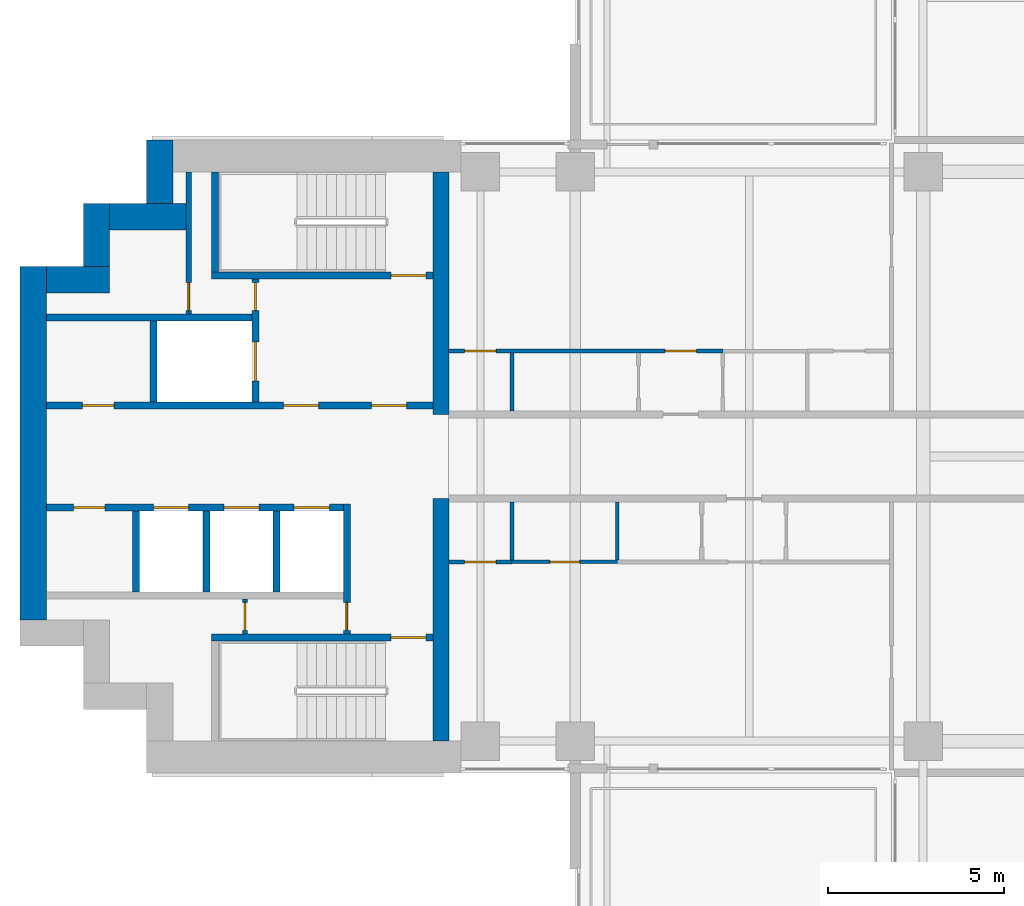
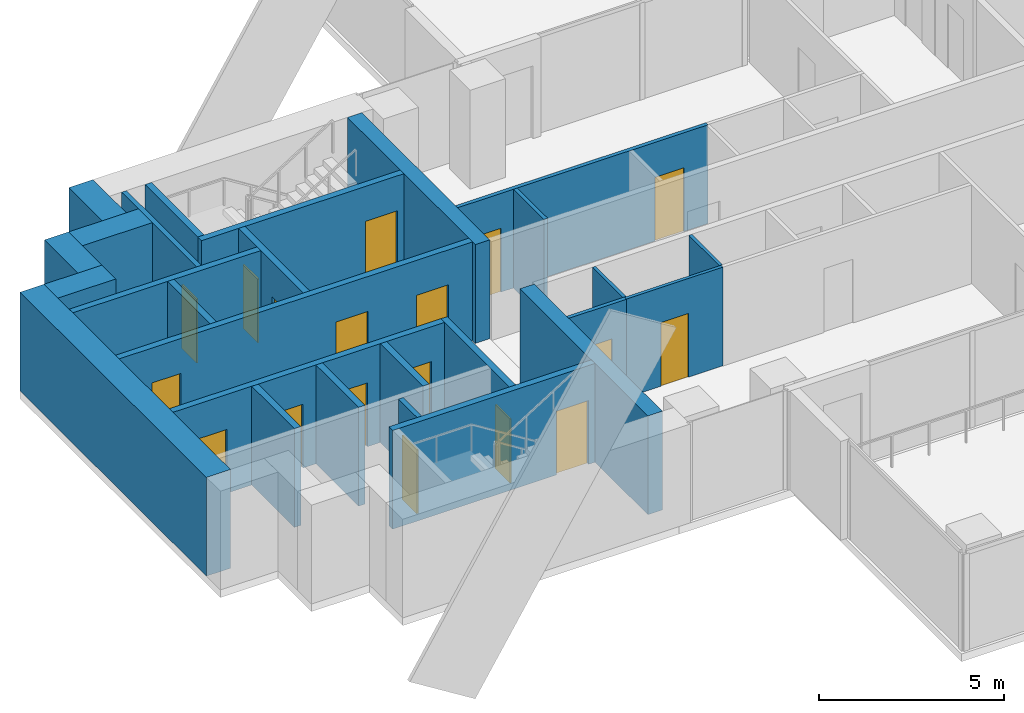
# One storey, part 9 of 19: 27 walls, 18 doors, 18 openings.
"""IFC4 building model written with IfcOpenShell, lengths in metres."""

from ifc_helpers import new_model, si_unit, direction, frame, frame_2d, origin, place, context, subcontext, project, spatial, rectangle, extrude, material, layer, layer_set, type_object, element, fill, save


model = new_model("IFC4")

# Units and contexts
model_context = context("Model", 3, precision=1e-05, world=origin(), true_north=direction((0.0, 1.0)))
body_context = subcontext(model_context, "Body", "Model", "MODEL_VIEW")
ifc_project = project(units=[si_unit("LENGTHUNIT", "METRE"), si_unit("AREAUNIT", "SQUARE_METRE"), si_unit("VOLUMEUNIT", "CUBIC_METRE"), si_unit("PLANEANGLEUNIT", "RADIAN"), si_unit("MASSUNIT", "GRAM", prefix="KILO")], contexts=[model_context])

# Site, building, storey
site_placement = place(None, origin())
site = spatial("IfcSite", under=ifc_project, at=site_placement, CompositionType="ELEMENT")
building_placement = place(site_placement, origin())
building = spatial("IfcBuilding", under=site, at=building_placement, Name="Perihelion Cross Residences", CompositionType="ELEMENT")
storey_placement = place(building_placement, frame((0.0, 0.0, 105.89990234375)))
storey = spatial("IfcBuildingStorey", under=building, at=storey_placement, Name="L24", CompositionType="ELEMENT", Elevation=105.89990234375)

# Walls
ifc_material_1 = material(Name="Concrete C60/75", Category="concrete")
ifc_layer_1 = layer(ifc_material_1, 0.449951171875)
ifc_layer_set_1 = layer_set([ifc_layer_1], Name="Core wall, inner 450")
wall_type_1 = type_object("IfcWallType", Name="Core wall, inner 450", PredefinedType="SHEAR", material=ifc_layer_set_1)
for number, where, z_axis, x_axis, name in (
    (1, (-21.824951171875, -8.10009765625, 0.0), (0.0, 0.0, 1.0), (0.0, 1.0, 0.0), "West core core wall, inner"),
    (2, (-21.824951171875, 1.199951171875, 0.0), (0.0, 0.0, 1.0), (0.0, 1.0, 0.0), "West core core wall, inner"),
):
    element("IfcWall", number, at=place(storey_placement, frame(where, z_axis=z_axis, x_axis=x_axis)), inside=storey, type_object=wall_type_1, Name=name, PredefinedType="SHEAR", context=body_context, shape_type="SweptSolid", body=[
        extrude(rectangle(XDim=6.900146484375, YDim=0.449951171875, at=frame_2d((3.4501953125, 0.0))), origin(), (0.0, 0.0, 1.0), 3.25),
    ])
ifc_material_2 = material(Name="Concrete C60/75", Category="concrete")
ifc_layer_2 = layer(ifc_material_2, 0.75)
ifc_layer_set_2 = layer_set([ifc_layer_2], Name="Core wall, outer 750")
wall_type_2 = type_object("IfcWallType", Name="Core wall, outer 750", PredefinedType="SHEAR", material=ifc_layer_set_2)
wall_1_placement = place(storey_placement, frame((-33.425048828125, -4.64990234375, 0.0), z_axis=(0.0, 0.0, 1.0), x_axis=(0.0, 1.0, 0.0)))
element("IfcWall", 3, at=wall_1_placement, inside=storey, type_object=wall_type_2, Name="West core core wall, outer", PredefinedType="SHEAR", context=body_context, shape_type="SweptSolid", body=[
    extrude(rectangle(XDim=10.0498046875, YDim=0.75, at=frame_2d((5.02490234375, 0.0))), origin(), (0.0, 0.0, 1.0), 3.25),
])
for number, where, z_axis, x_axis, name in (
    (4, (-33.050048828125, 5.02490234375, 0.0), (0.0, 0.0, 1.0), (1.0, 0.0, 0.0), "West core core wall, outer"),
    (5, (-31.625, 5.39990234375, 0.0), (0.0, 0.0, 1.0), (0.0, 1.0, 0.0), "West core core wall, outer"),
):
    element("IfcWall", number, at=place(storey_placement, frame(where, z_axis=z_axis, x_axis=x_axis)), inside=storey, type_object=wall_type_2, Name=name, PredefinedType="SHEAR", context=body_context, shape_type="SweptSolid", body=[
        extrude(rectangle(XDim=1.800048828125, YDim=0.75, at=frame_2d((0.89990234375, 0.0))), origin(), (0.0, 0.0, 1.0), 3.25),
    ])
wall_2_placement = place(storey_placement, frame((-31.25, 6.824951171875, 0.0), z_axis=(0.0, 0.0, 1.0), x_axis=(1.0, 0.0, 0.0)))
element("IfcWall", 6, at=wall_2_placement, inside=storey, type_object=wall_type_2, Name="West core core wall, outer", PredefinedType="SHEAR", context=body_context, shape_type="SweptSolid", body=[
    extrude(rectangle(XDim=2.175048828125, YDim=0.75, at=frame_2d((1.08740234375, 0.0))), origin(), (0.0, 0.0, 1.0), 3.25),
])
wall_3_placement = place(storey_placement, frame((-29.824951171875, 7.199951171875, 0.0), z_axis=(0.0, 0.0, 1.0), x_axis=(0.0, 1.0, 0.0)))
element("IfcWall", 7, at=wall_3_placement, inside=storey, type_object=wall_type_2, Name="West core core wall, outer", PredefinedType="SHEAR", context=body_context, shape_type="SweptSolid", body=[
    extrude(rectangle(XDim=1.800048828125, YDim=0.75, at=frame_2d((0.89990234375, 0.0))), origin(), (0.0, 0.0, 1.0), 3.25),
])

# Wall, opening, door
ifc_material_3 = material(Name="Concrete C50/60", Category="concrete")
ifc_layer_3 = layer(ifc_material_3, 0.199951171875)
ifc_layer_set_3 = layer_set([ifc_layer_3], Name="Lobby wall 200")
wall_type_3 = type_object("IfcWallType", Name="Lobby wall 200", PredefinedType="SOLIDWALL", material=ifc_layer_set_3)
wall_4_placement = place(storey_placement, frame((-24.5, -5.050048828125, 0.0), z_axis=(0.0, 0.0, 1.0), x_axis=(0.0, 1.0, 0.0)))
wall_4 = element("IfcWall", 8, at=wall_4_placement, inside=storey, type_object=wall_type_3, Name="West core lobby wall", PredefinedType="SOLIDWALL", context=body_context, shape_type="SweptSolid", body=[
    extrude(rectangle(XDim=3.699951171875, YDim=0.199951171875, at=frame_2d((1.85009765625, 0.0))), origin(), (0.0, 0.0, 1.0), 3.25),
])
opening_1_placement = place(wall_4_placement, frame((0.10009765625, 0.0, 0.0)))
opening_1 = element("IfcOpeningElement", 9, at=opening_1_placement, cuts=wall_4, Name="Opening L24.C22", PredefinedType="OPENING", context=body_context, shape_type="SweptSolid", body=[
    extrude(rectangle(XDim=0.800048828125, YDim=2.10009765625, at=frame_2d((0.39990234375, 1.050048828125))), frame((0.0, 0.10986328125, 0.0), z_axis=(0.0, -1.0, 0.0), x_axis=(1.0, 0.0, 0.0)), (0.0, 0.0, 1.0), 0.219970703125),
])
ifc_material_4 = material(Name="Steel, powder coated", Category="steel")
door_type_1 = type_object("IfcDoorType", Name="Riser door 800", OperationType="SINGLE_SWING_LEFT", PredefinedType="DOOR", material=ifc_material_4)
door_1_placement = place(opening_1_placement, origin())
door_1 = element("IfcDoor", 10, at=door_1_placement, inside=storey, type_object=door_type_1, Name="West core riser door", OperationType="SINGLE_SWING_LEFT", OverallHeight=2.10009765625, OverallWidth=0.800048828125, PredefinedType="DOOR", context=body_context, shape_type="SweptSolid", body=[
    extrude(rectangle(XDim=0.800048828125, YDim=2.10009765625, at=frame_2d((0.39990234375, 1.050048828125))), frame((0.0, 0.02490234375, 0.0), z_axis=(0.0, -1.0, 0.0), x_axis=(1.0, 0.0, 0.0)), (0.0, 0.0, 1.0), 0.050048828125),
])
fill(opening_1, door_1)

# Wall, openings, doors
ifc_material_5 = material(Name="Plasterboard partition")
ifc_layer_4 = layer(ifc_material_5, 0.1201171875)
ifc_layer_set_4 = layer_set([ifc_layer_4], Name="Partition wall 120")
wall_type_4 = type_object("IfcWallType", Name="Partition wall 120", PredefinedType="PARTITIONING", material=ifc_layer_set_4)
wall_5_placement = place(storey_placement, frame((-21.60009765625, 3.0, 0.0), z_axis=(0.0, 0.0, 1.0), x_axis=(1.0, 0.0, 0.0)))
wall_5 = element("IfcWall", 11, at=wall_5_placement, inside=storey, type_object=wall_type_4, Name="Partition L24 W048", PredefinedType="PARTITIONING", context=body_context, shape_type="SweptSolid", body=[
    extrude(rectangle(XDim=7.800048828125, YDim=0.1201171875, at=frame_2d((3.89990234375, 0.0))), origin(), (0.0, 0.0, 1.0), 3.25),
])
opening_2_placement = place(wall_5_placement, frame((0.449951171875, 0.0, 0.0)))
opening_2 = element("IfcOpeningElement", 12, at=opening_2_placement, cuts=wall_5, Name="Opening L24.A21", PredefinedType="OPENING", context=body_context, shape_type="SweptSolid", body=[
    extrude(rectangle(XDim=0.89990234375, YDim=2.10009765625, at=frame_2d((0.449951171875, 1.050048828125))), frame((0.0, 0.070068359375, 0.0), z_axis=(0.0, -1.0, 0.0), x_axis=(1.0, 0.0, 0.0)), (0.0, 0.0, 1.0), 0.14013671875),
])
opening_3_placement = place(wall_5_placement, frame((6.14990234375, 0.0, 0.0)))
opening_3 = element("IfcOpeningElement", 13, at=opening_3_placement, cuts=wall_5, Name="Opening L24.A23", PredefinedType="OPENING", context=body_context, shape_type="SweptSolid", body=[
    extrude(rectangle(XDim=0.89990234375, YDim=2.10009765625, at=frame_2d((0.449951171875, 1.050048828125))), frame((0.0, 0.070068359375, 0.0), z_axis=(0.0, -1.0, 0.0), x_axis=(1.0, 0.0, 0.0)), (0.0, 0.0, 1.0), 0.14013671875),
])
ifc_material_6 = material(Name="Timber door leaf", Category="wood")
door_type_2 = type_object("IfcDoorType", Name="Interior room door 900 x 2100", OperationType="SINGLE_SWING_LEFT", PredefinedType="DOOR", material=ifc_material_6)
door_2_placement = place(opening_2_placement, origin())
door_2 = element("IfcDoor", 14, at=door_2_placement, inside=storey, type_object=door_type_2, Name="Door L24.A21", OperationType="SINGLE_SWING_RIGHT", OverallHeight=2.10009765625, OverallWidth=0.89990234375, PredefinedType="DOOR", context=body_context, shape_type="SweptSolid", body=[
    extrude(rectangle(XDim=0.89990234375, YDim=2.10009765625, at=frame_2d((0.449951171875, 1.050048828125))), frame((0.0, 0.02490234375, 0.0), z_axis=(0.0, -1.0, 0.0), x_axis=(1.0, 0.0, 0.0)), (0.0, 0.0, 1.0), 0.050048828125),
])
fill(opening_2, door_2)
door_3_placement = place(opening_3_placement, origin())
door_3 = element("IfcDoor", 15, at=door_3_placement, inside=storey, type_object=door_type_2, Name="Door L24.A23", OperationType="SINGLE_SWING_RIGHT", OverallHeight=2.10009765625, OverallWidth=0.89990234375, PredefinedType="DOOR", context=body_context, shape_type="SweptSolid", body=[
    extrude(rectangle(XDim=0.89990234375, YDim=2.10009765625, at=frame_2d((0.449951171875, 1.050048828125))), frame((0.0, 0.02490234375, 0.0), z_axis=(0.0, -1.0, 0.0), x_axis=(1.0, 0.0, 0.0)), (0.0, 0.0, 1.0), 0.050048828125),
])
fill(opening_3, door_3)

# Wall
wall_6_placement = place(storey_placement, frame((-19.800048828125, 1.300048828125, 0.0), z_axis=(0.0, 0.0, 1.0), x_axis=(0.0, 1.0, 0.0)))
element("IfcWall", 16, at=wall_6_placement, inside=storey, type_object=wall_type_4, Name="Partition L24 W049", PredefinedType="PARTITIONING", context=body_context, shape_type="SweptSolid", body=[
    extrude(rectangle(XDim=1.639892578125, YDim=0.1201171875, at=frame_2d((0.81982421875, 0.0))), origin(), (0.0, 0.0, 1.0), 3.25),
])

# Wall, opening, door
wall_7_placement = place(storey_placement, frame((-19.800048828125, -3.0, 0.0), z_axis=(0.0, 0.0, 1.0), x_axis=(-1.0, 0.0, 0.0)))
wall_7 = element("IfcWall", 17, at=wall_7_placement, inside=storey, type_object=wall_type_4, Name="Partition L24 W060", PredefinedType="PARTITIONING", context=body_context, shape_type="SweptSolid", body=[
    extrude(rectangle(XDim=1.800048828125, YDim=0.1201171875, at=frame_2d((0.89990234375, 0.0))), origin(), (0.0, 0.0, 1.0), 3.25),
])
opening_4_placement = place(wall_7_placement, frame((0.449951171875, 0.0, 0.0)))
opening_4 = element("IfcOpeningElement", 18, at=opening_4_placement, cuts=wall_7, Name="Opening L24.A28", PredefinedType="OPENING", context=body_context, shape_type="SweptSolid", body=[
    extrude(rectangle(XDim=0.89990234375, YDim=2.10009765625, at=frame_2d((0.449951171875, 1.050048828125))), frame((0.0, 0.070068359375, 0.0), z_axis=(0.0, -1.0, 0.0), x_axis=(1.0, 0.0, 0.0)), (0.0, 0.0, 1.0), 0.14013671875),
])
door_4_placement = place(opening_4_placement, origin())
door_4 = element("IfcDoor", 19, at=door_4_placement, inside=storey, type_object=door_type_2, Name="Door L24.A28", OperationType="SINGLE_SWING_LEFT", OverallHeight=2.10009765625, OverallWidth=0.89990234375, PredefinedType="DOOR", context=body_context, shape_type="SweptSolid", body=[
    extrude(rectangle(XDim=0.89990234375, YDim=2.10009765625, at=frame_2d((0.449951171875, 1.050048828125))), frame((0.0, 0.02490234375, 0.0), z_axis=(0.0, -1.0, 0.0), x_axis=(1.0, 0.0, 0.0)), (0.0, 0.0, 1.0), 0.050048828125),
])
fill(opening_4, door_4)

ifc_material_7 = material(Name="Fire-rated board on steel stud", Category="steel")
ifc_layer_5 = layer(ifc_material_7, 0.14990234375)
ifc_layer_set_5 = layer_set([ifc_layer_5], Name="Riser wall 150")
wall_type_5 = type_object("IfcWallType", Name="Riser wall 150", PredefinedType="PARTITIONING", material=ifc_layer_set_5)
wall_8_placement = place(storey_placement, frame((-29.0, 4.050048828125, 0.0), z_axis=(0.0, 0.0, 1.0), x_axis=(0.0, 1.0, 0.0)))
wall_8 = element("IfcWall", 20, at=wall_8_placement, inside=storey, type_object=wall_type_5, Name="West core riser wall", PredefinedType="PARTITIONING", context=body_context, shape_type="SweptSolid", body=[
    extrude(rectangle(XDim=4.050048828125, YDim=0.14990234375, at=frame_2d((2.02490234375, 0.0))), origin(), (0.0, 0.0, 1.0), 3.25),
])
opening_5_placement = place(wall_8_placement, frame((0.10009765625, 0.0, 0.0)))
opening_5 = element("IfcOpeningElement", 21, at=opening_5_placement, cuts=wall_8, Name="Opening L24.C26", PredefinedType="OPENING", context=body_context, shape_type="SweptSolid", body=[
    extrude(rectangle(XDim=0.800048828125, YDim=2.10009765625, at=frame_2d((0.39990234375, 1.050048828125))), frame((0.0, 0.0849609375, 0.0), z_axis=(0.0, -1.0, 0.0), x_axis=(1.0, 0.0, 0.0)), (0.0, 0.0, 1.0), 0.169921875),
])
door_5_placement = place(opening_5_placement, origin())
door_5 = element("IfcDoor", 22, at=door_5_placement, inside=storey, type_object=door_type_1, Name="West core riser door", OperationType="SINGLE_SWING_LEFT", OverallHeight=2.10009765625, OverallWidth=0.800048828125, PredefinedType="DOOR", context=body_context, shape_type="SweptSolid", body=[
    extrude(rectangle(XDim=0.800048828125, YDim=2.10009765625, at=frame_2d((0.39990234375, 1.050048828125))), frame((0.0, 0.02490234375, 0.0), z_axis=(0.0, -1.0, 0.0), x_axis=(1.0, 0.0, 0.0)), (0.0, 0.0, 1.0), 0.050048828125),
])
fill(opening_5, door_5)

wall_9_placement = place(storey_placement, frame((-27.39990234375, -5.050048828125, 0.0), z_axis=(0.0, 0.0, 1.0), x_axis=(0.0, 1.0, 0.0)))
wall_9 = element("IfcWall", 23, at=wall_9_placement, inside=storey, type_object=wall_type_5, Name="West core riser wall", PredefinedType="PARTITIONING", context=body_context, shape_type="SweptSolid", body=[
    extrude(rectangle(XDim=1.0, YDim=0.14990234375, at=frame_2d((0.5, 0.0))), origin(), (0.0, 0.0, 1.0), 3.25),
])
opening_6_placement = place(wall_9_placement, frame((0.10009765625, 0.0, 0.0)))
opening_6 = element("IfcOpeningElement", 24, at=opening_6_placement, cuts=wall_9, Name="Opening L24.C25", PredefinedType="OPENING", context=body_context, shape_type="SweptSolid", body=[
    extrude(rectangle(XDim=0.800048828125, YDim=2.10009765625, at=frame_2d((0.39990234375, 1.050048828125))), frame((0.0, 0.0849609375, 0.0), z_axis=(0.0, -1.0, 0.0), x_axis=(1.0, 0.0, 0.0)), (0.0, 0.0, 1.0), 0.169921875),
])
door_6_placement = place(opening_6_placement, origin())
door_6 = element("IfcDoor", 25, at=door_6_placement, inside=storey, type_object=door_type_1, Name="West core riser door", OperationType="SINGLE_SWING_LEFT", OverallHeight=2.10009765625, OverallWidth=0.800048828125, PredefinedType="DOOR", context=body_context, shape_type="SweptSolid", body=[
    extrude(rectangle(XDim=0.800048828125, YDim=2.10009765625, at=frame_2d((0.39990234375, 1.050048828125))), frame((0.0, 0.02490234375, 0.0), z_axis=(0.0, -1.0, 0.0), x_axis=(1.0, 0.0, 0.0)), (0.0, 0.0, 1.0), 0.050048828125),
])
fill(opening_6, door_6)

# Wall, openings, doors
ifc_material_8 = material(Name="Concrete C50/60", Category="concrete")
ifc_layer_6 = layer(ifc_material_8, 0.199951171875)
ifc_layer_set_6 = layer_set([ifc_layer_6], Name="Shaft wall 200")
wall_type_6 = type_object("IfcWallType", Name="Shaft wall 200", PredefinedType="SOLIDWALL", material=ifc_layer_set_6)
wall_10_placement = place(storey_placement, frame((-33.050048828125, 1.449951171875, 0.0), z_axis=(0.0, 0.0, 1.0), x_axis=(1.0, 0.0, 0.0)))
wall_10 = element("IfcWall", 26, at=wall_10_placement, inside=storey, type_object=wall_type_6, Name="West core shaft wall", PredefinedType="SOLIDWALL", context=body_context, shape_type="SweptSolid", body=[
    extrude(rectangle(XDim=11.0, YDim=0.199951171875, at=frame_2d((5.5, 0.0))), origin(), (0.0, 0.0, 1.0), 3.25),
])
opening_7_placement = place(wall_10_placement, frame((9.25, 0.0, 0.0)))
opening_7 = element("IfcOpeningElement", 27, at=opening_7_placement, cuts=wall_10, Name="Opening L24.C21", PredefinedType="OPENING", context=body_context, shape_type="SweptSolid", body=[
    extrude(rectangle(XDim=1.0, YDim=2.10009765625, at=frame_2d((0.5, 1.050048828125))), frame((0.0, 0.10986328125, 0.0), z_axis=(0.0, -1.0, 0.0), x_axis=(1.0, 0.0, 0.0)), (0.0, 0.0, 1.0), 0.219970703125),
])
opening_8_placement = place(wall_10_placement, frame((6.75, 0.0, 0.0)))
opening_8 = element("IfcOpeningElement", 28, at=opening_8_placement, cuts=wall_10, Name="Opening L24.C23", PredefinedType="OPENING", context=body_context, shape_type="SweptSolid", body=[
    extrude(rectangle(XDim=1.0, YDim=2.10009765625, at=frame_2d((0.5, 1.050048828125))), frame((0.0, 0.10986328125, 0.0), z_axis=(0.0, -1.0, 0.0), x_axis=(1.0, 0.0, 0.0)), (0.0, 0.0, 1.0), 0.219970703125),
])
opening_9_placement = place(wall_10_placement, frame((1.02490234375, 0.0, 0.0)))
opening_9 = element("IfcOpeningElement", 29, at=opening_9_placement, cuts=wall_10, Name="Opening L24.C27", PredefinedType="OPENING", context=body_context, shape_type="SweptSolid", body=[
    extrude(rectangle(XDim=0.89990234375, YDim=2.10009765625, at=frame_2d((0.449951171875, 1.050048828125))), frame((0.0, 0.10986328125, 0.0), z_axis=(0.0, -1.0, 0.0), x_axis=(1.0, 0.0, 0.0)), (0.0, 0.0, 1.0), 0.219970703125),
])
ifc_material_9 = material(Name="Steel, powder coated", Category="steel")
door_type_3 = type_object("IfcDoorType", Name="Lobby door 1000", OperationType="SINGLE_SWING_LEFT", PredefinedType="DOOR", material=ifc_material_9)
door_7_placement = place(opening_7_placement, origin())
door_7 = element("IfcDoor", 30, at=door_7_placement, inside=storey, type_object=door_type_3, Name="West core firefighting lobby door", OperationType="SINGLE_SWING_LEFT", OverallHeight=2.10009765625, OverallWidth=1.0, PredefinedType="DOOR", context=body_context, shape_type="SweptSolid", body=[
    extrude(rectangle(XDim=1.0, YDim=2.10009765625, at=frame_2d((0.5, 1.050048828125))), frame((0.0, 0.02490234375, 0.0), z_axis=(0.0, -1.0, 0.0), x_axis=(1.0, 0.0, 0.0)), (0.0, 0.0, 1.0), 0.050048828125),
])
fill(opening_7, door_7)
door_8_placement = place(opening_8_placement, origin())
door_8 = element("IfcDoor", 31, at=door_8_placement, inside=storey, type_object=door_type_3, Name="West core firefighting lobby door", OperationType="SINGLE_SWING_LEFT", OverallHeight=2.10009765625, OverallWidth=1.0, PredefinedType="DOOR", context=body_context, shape_type="SweptSolid", body=[
    extrude(rectangle(XDim=1.0, YDim=2.10009765625, at=frame_2d((0.5, 1.050048828125))), frame((0.0, 0.02490234375, 0.0), z_axis=(0.0, -1.0, 0.0), x_axis=(1.0, 0.0, 0.0)), (0.0, 0.0, 1.0), 0.050048828125),
])
fill(opening_8, door_8)
ifc_material_10 = material(Name="Steel, powder coated", Category="steel")
door_type_4 = type_object("IfcDoorType", Name="Service room door 900", OperationType="SINGLE_SWING_LEFT", PredefinedType="DOOR", material=ifc_material_10)
door_9_placement = place(opening_9_placement, origin())
door_9 = element("IfcDoor", 32, at=door_9_placement, inside=storey, type_object=door_type_4, Name="West core service room door", OperationType="SINGLE_SWING_LEFT", OverallHeight=2.10009765625, OverallWidth=0.89990234375, PredefinedType="DOOR", context=body_context, shape_type="SweptSolid", body=[
    extrude(rectangle(XDim=0.89990234375, YDim=2.10009765625, at=frame_2d((0.449951171875, 1.050048828125))), frame((0.0, 0.02490234375, 0.0), z_axis=(0.0, -1.0, 0.0), x_axis=(1.0, 0.0, 0.0)), (0.0, 0.0, 1.0), 0.050048828125),
])
fill(opening_9, door_9)

wall_11_placement = place(storey_placement, frame((-33.050048828125, -1.449951171875, 0.0), z_axis=(0.0, 0.0, 1.0), x_axis=(1.0, 0.0, 0.0)))
wall_11 = element("IfcWall", 33, at=wall_11_placement, inside=storey, type_object=wall_type_6, Name="West core shaft wall", PredefinedType="SOLIDWALL", context=body_context, shape_type="SweptSolid", body=[
    extrude(rectangle(XDim=8.449951171875, YDim=0.199951171875, at=frame_2d((4.22509765625, 0.0))), origin(), (0.0, 0.0, 1.0), 3.25),
])
opening_10_placement = place(wall_11_placement, frame((7.050048828125, 0.0, 0.0)))
opening_10 = element("IfcOpeningElement", 34, at=opening_10_placement, cuts=wall_11, Name="Opening L24.C15", PredefinedType="OPENING", context=body_context, shape_type="SweptSolid", body=[
    extrude(rectangle(XDim=1.0, YDim=2.10009765625, at=frame_2d((0.5, 1.050048828125))), frame((0.0, 0.10986328125, 0.0), z_axis=(0.0, -1.0, 0.0), x_axis=(1.0, 0.0, 0.0)), (0.0, 0.0, 1.0), 0.219970703125),
])
opening_11_placement = place(wall_11_placement, frame((5.050048828125, 0.0, 0.0)))
opening_11 = element("IfcOpeningElement", 35, at=opening_11_placement, cuts=wall_11, Name="Opening L24.C17", PredefinedType="OPENING", context=body_context, shape_type="SweptSolid", body=[
    extrude(rectangle(XDim=1.0, YDim=2.10009765625, at=frame_2d((0.5, 1.050048828125))), frame((0.0, 0.10986328125, 0.0), z_axis=(0.0, -1.0, 0.0), x_axis=(1.0, 0.0, 0.0)), (0.0, 0.0, 1.0), 0.219970703125),
])
opening_12_placement = place(wall_11_placement, frame((3.050048828125, 0.0, 0.0)))
opening_12 = element("IfcOpeningElement", 36, at=opening_12_placement, cuts=wall_11, Name="Opening L24.C18", PredefinedType="OPENING", context=body_context, shape_type="SweptSolid", body=[
    extrude(rectangle(XDim=1.0, YDim=2.10009765625, at=frame_2d((0.5, 1.050048828125))), frame((0.0, 0.10986328125, 0.0), z_axis=(0.0, -1.0, 0.0), x_axis=(1.0, 0.0, 0.0)), (0.0, 0.0, 1.0), 0.219970703125),
])
opening_13_placement = place(wall_11_placement, frame((0.77490234375, 0.0, 0.0)))
opening_13 = element("IfcOpeningElement", 37, at=opening_13_placement, cuts=wall_11, Name="Opening L24.C28", PredefinedType="OPENING", context=body_context, shape_type="SweptSolid", body=[
    extrude(rectangle(XDim=0.89990234375, YDim=2.10009765625, at=frame_2d((0.449951171875, 1.050048828125))), frame((0.0, 0.10986328125, 0.0), z_axis=(0.0, -1.0, 0.0), x_axis=(1.0, 0.0, 0.0)), (0.0, 0.0, 1.0), 0.219970703125),
])
ifc_material_11 = material(Name="Stainless steel", Category="steel")
door_type_5 = type_object("IfcDoorType", Name="Landing door 1000", OperationType="DOUBLE_DOOR_SLIDING", PredefinedType="DOOR", material=ifc_material_11)
door_10_placement = place(opening_10_placement, origin())
door_10 = element("IfcDoor", 38, at=door_10_placement, inside=storey, type_object=door_type_5, Name="Landing door, West core high-rise lift 1", OperationType="DOUBLE_DOOR_SLIDING", OverallHeight=2.10009765625, OverallWidth=1.0, PredefinedType="DOOR", context=body_context, shape_type="SweptSolid", body=[
    extrude(rectangle(XDim=1.0, YDim=2.10009765625, at=frame_2d((0.5, 1.050048828125))), frame((0.0, 0.02490234375, 0.0), z_axis=(0.0, -1.0, 0.0), x_axis=(1.0, 0.0, 0.0)), (0.0, 0.0, 1.0), 0.050048828125),
])
fill(opening_10, door_10)
door_11_placement = place(opening_11_placement, origin())
door_11 = element("IfcDoor", 39, at=door_11_placement, inside=storey, type_object=door_type_5, Name="Landing door, West core high-rise lift 2", OperationType="DOUBLE_DOOR_SLIDING", OverallHeight=2.10009765625, OverallWidth=1.0, PredefinedType="DOOR", context=body_context, shape_type="SweptSolid", body=[
    extrude(rectangle(XDim=1.0, YDim=2.10009765625, at=frame_2d((0.5, 1.050048828125))), frame((0.0, 0.02490234375, 0.0), z_axis=(0.0, -1.0, 0.0), x_axis=(1.0, 0.0, 0.0)), (0.0, 0.0, 1.0), 0.050048828125),
])
fill(opening_11, door_11)
door_12_placement = place(opening_12_placement, origin())
door_12 = element("IfcDoor", 40, at=door_12_placement, inside=storey, type_object=door_type_5, Name="Landing door, West core high-rise lift 3", OperationType="DOUBLE_DOOR_SLIDING", OverallHeight=2.10009765625, OverallWidth=1.0, PredefinedType="DOOR", context=body_context, shape_type="SweptSolid", body=[
    extrude(rectangle(XDim=1.0, YDim=2.10009765625, at=frame_2d((0.5, 1.050048828125))), frame((0.0, 0.02490234375, 0.0), z_axis=(0.0, -1.0, 0.0), x_axis=(1.0, 0.0, 0.0)), (0.0, 0.0, 1.0), 0.050048828125),
])
fill(opening_12, door_12)
door_13_placement = place(opening_13_placement, origin())
door_13 = element("IfcDoor", 41, at=door_13_placement, inside=storey, type_object=door_type_4, Name="West core service room door", OperationType="SINGLE_SWING_LEFT", OverallHeight=2.10009765625, OverallWidth=0.89990234375, PredefinedType="DOOR", context=body_context, shape_type="SweptSolid", body=[
    extrude(rectangle(XDim=0.89990234375, YDim=2.10009765625, at=frame_2d((0.449951171875, 1.050048828125))), frame((0.0, 0.02490234375, 0.0), z_axis=(0.0, -1.0, 0.0), x_axis=(1.0, 0.0, 0.0)), (0.0, 0.0, 1.0), 0.050048828125),
])
fill(opening_13, door_13)

# Wall
wall_12_placement = place(storey_placement, frame((-33.050048828125, 3.949951171875, 0.0), z_axis=(0.0, 0.0, 1.0), x_axis=(1.0, 0.0, 0.0)))
element("IfcWall", 42, at=wall_12_placement, inside=storey, type_object=wall_type_6, Name="West core shaft wall", PredefinedType="SOLIDWALL", context=body_context, shape_type="SweptSolid", body=[
    extrude(rectangle(XDim=5.85009765625, YDim=0.199951171875, at=frame_2d((2.925048828125, 0.0))), origin(), (0.0, 0.0, 1.0), 3.25),
])

# Wall, openings, doors
wall_13_placement = place(storey_placement, frame((-27.10009765625, 1.550048828125, 0.0), z_axis=(0.0, 0.0, 1.0), x_axis=(0.0, 1.0, 0.0)))
wall_13 = element("IfcWall", 43, at=wall_13_placement, inside=storey, type_object=wall_type_6, Name="West core shaft wall", PredefinedType="SOLIDWALL", context=body_context, shape_type="SweptSolid", body=[
    extrude(rectangle(XDim=3.5, YDim=0.199951171875, at=frame_2d((1.75, 0.0))), origin(), (0.0, 0.0, 1.0), 3.25),
])
opening_14_placement = place(wall_13_placement, frame((0.60009765625, 0.0, 0.0)))
opening_14 = element("IfcOpeningElement", 44, at=opening_14_placement, cuts=wall_13, Name="Opening L24.C16", PredefinedType="OPENING", context=body_context, shape_type="SweptSolid", body=[
    extrude(rectangle(XDim=1.10009765625, YDim=2.10009765625, at=frame_2d((0.550048828125, 1.050048828125))), frame((0.0, 0.10986328125, 0.0), z_axis=(0.0, -1.0, 0.0), x_axis=(1.0, 0.0, 0.0)), (0.0, 0.0, 1.0), 0.219970703125),
])
opening_15_placement = place(wall_13_placement, frame((2.60009765625, 0.0, 0.0)))
opening_15 = element("IfcOpeningElement", 45, at=opening_15_placement, cuts=wall_13, Name="Opening L24.C24", PredefinedType="OPENING", context=body_context, shape_type="SweptSolid", body=[
    extrude(rectangle(XDim=0.800048828125, YDim=2.10009765625, at=frame_2d((0.39990234375, 1.050048828125))), frame((0.0, 0.10986328125, 0.0), z_axis=(0.0, -1.0, 0.0), x_axis=(1.0, 0.0, 0.0)), (0.0, 0.0, 1.0), 0.219970703125),
])
ifc_material_12 = material(Name="Stainless steel", Category="steel")
door_type_6 = type_object("IfcDoorType", Name="Landing door, firefighting lift 1100", OperationType="DOUBLE_DOOR_SLIDING", PredefinedType="DOOR", material=ifc_material_12)
door_14_placement = place(opening_14_placement, origin())
door_14 = element("IfcDoor", 46, at=door_14_placement, inside=storey, type_object=door_type_6, Name="Landing door, West core firefighting and service lift", OperationType="DOUBLE_DOOR_SLIDING", OverallHeight=2.10009765625, OverallWidth=1.10009765625, PredefinedType="DOOR", context=body_context, shape_type="SweptSolid", body=[
    extrude(rectangle(XDim=1.10009765625, YDim=2.10009765625, at=frame_2d((0.550048828125, 1.050048828125))), frame((0.0, 0.02490234375, 0.0), z_axis=(0.0, -1.0, 0.0), x_axis=(1.0, 0.0, 0.0)), (0.0, 0.0, 1.0), 0.050048828125),
])
fill(opening_14, door_14)
door_15_placement = place(opening_15_placement, origin())
door_15 = element("IfcDoor", 47, at=door_15_placement, inside=storey, type_object=door_type_1, Name="West core riser door", OperationType="SINGLE_SWING_LEFT", OverallHeight=2.10009765625, OverallWidth=0.800048828125, PredefinedType="DOOR", context=body_context, shape_type="SweptSolid", body=[
    extrude(rectangle(XDim=0.800048828125, YDim=2.10009765625, at=frame_2d((0.39990234375, 1.050048828125))), frame((0.0, 0.02490234375, 0.0), z_axis=(0.0, -1.0, 0.0), x_axis=(1.0, 0.0, 0.0)), (0.0, 0.0, 1.0), 0.050048828125),
])
fill(opening_15, door_15)

# Walls
for number, where, z_axis, x_axis, name in (
    (48, (-30.0, 1.550048828125, 0.0), (0.0, 0.0, 1.0), (0.0, 1.0, 0.0), "West core shaft wall"),
    (49, (-26.5, -3.85009765625, 0.0), (0.0, 0.0, 1.0), (0.0, 1.0, 0.0), "West core shaft wall"),
    (50, (-28.5, -3.85009765625, 0.0), (0.0, 0.0, 1.0), (0.0, 1.0, 0.0), "West core shaft wall"),
    (51, (-30.5, -3.85009765625, 0.0), (0.0, 0.0, 1.0), (0.0, 1.0, 0.0), "West core shaft wall"),
):
    element("IfcWall", number, at=place(storey_placement, frame(where, z_axis=z_axis, x_axis=x_axis)), inside=storey, type_object=wall_type_6, Name=name, PredefinedType="SOLIDWALL", context=body_context, shape_type="SweptSolid", body=[
        extrude(rectangle(XDim=2.300048828125, YDim=0.199951171875, at=frame_2d((1.14990234375, 0.0))), origin(), (0.0, 0.0, 1.0), 3.25),
    ])

# Wall, opening, door
ifc_material_13 = material(Name="Concrete C50/60", Category="concrete")
ifc_layer_7 = layer(ifc_material_13, 0.199951171875)
ifc_layer_set_7 = layer_set([ifc_layer_7], Name="Stair wall 200")
wall_type_7 = type_object("IfcWallType", Name="Stair wall 200", PredefinedType="SOLIDWALL", material=ifc_layer_set_7)
wall_14_placement = place(storey_placement, frame((-28.35009765625, 5.14990234375, 0.0), z_axis=(0.0, 0.0, 1.0), x_axis=(1.0, 0.0, 0.0)))
wall_14 = element("IfcWall", 52, at=wall_14_placement, inside=storey, type_object=wall_type_7, Name="West core stair wall", PredefinedType="SOLIDWALL", context=body_context, shape_type="SweptSolid", body=[
    extrude(rectangle(XDim=6.300048828125, YDim=0.199951171875, at=frame_2d((3.14990234375, 0.0))), origin(), (0.0, 0.0, 1.0), 3.25),
])
opening_16_placement = place(wall_14_placement, frame((5.10009765625, 0.0, 0.0)))
opening_16 = element("IfcOpeningElement", 53, at=opening_16_placement, cuts=wall_14, Name="Opening L24.C20", PredefinedType="OPENING", context=body_context, shape_type="SweptSolid", body=[
    extrude(rectangle(XDim=1.0, YDim=2.10009765625, at=frame_2d((0.5, 1.050048828125))), frame((0.0, 0.10986328125, 0.0), z_axis=(0.0, -1.0, 0.0), x_axis=(1.0, 0.0, 0.0)), (0.0, 0.0, 1.0), 0.219970703125),
])
ifc_material_14 = material(Name="Steel, powder coated", Category="steel")
door_type_7 = type_object("IfcDoorType", Name="Stair door 1000", OperationType="SINGLE_SWING_LEFT", PredefinedType="DOOR", material=ifc_material_14)
door_16_placement = place(opening_16_placement, origin())
door_16 = element("IfcDoor", 54, at=door_16_placement, inside=storey, type_object=door_type_7, Name="West core stair door", OperationType="SINGLE_SWING_LEFT", OverallHeight=2.10009765625, OverallWidth=1.0, PredefinedType="DOOR", context=body_context, shape_type="SweptSolid", body=[
    extrude(rectangle(XDim=1.0, YDim=2.10009765625, at=frame_2d((0.5, 1.050048828125))), frame((0.0, 0.02490234375, 0.0), z_axis=(0.0, -1.0, 0.0), x_axis=(1.0, 0.0, 0.0)), (0.0, 0.0, 1.0), 0.050048828125),
])
fill(opening_16, door_16)

wall_15_placement = place(storey_placement, frame((-28.35009765625, -5.14990234375, 0.0), z_axis=(0.0, 0.0, 1.0), x_axis=(1.0, 0.0, 0.0)))
wall_15 = element("IfcWall", 55, at=wall_15_placement, inside=storey, type_object=wall_type_7, Name="West core stair wall", PredefinedType="SOLIDWALL", context=body_context, shape_type="SweptSolid", body=[
    extrude(rectangle(XDim=6.300048828125, YDim=0.199951171875, at=frame_2d((3.14990234375, 0.0))), origin(), (0.0, 0.0, 1.0), 3.25),
])
opening_17_placement = place(wall_15_placement, frame((5.10009765625, 0.0, 0.0)))
opening_17 = element("IfcOpeningElement", 56, at=opening_17_placement, cuts=wall_15, Name="Opening L24.C19", PredefinedType="OPENING", context=body_context, shape_type="SweptSolid", body=[
    extrude(rectangle(XDim=1.0, YDim=2.10009765625, at=frame_2d((0.5, 1.050048828125))), frame((0.0, 0.10986328125, 0.0), z_axis=(0.0, -1.0, 0.0), x_axis=(1.0, 0.0, 0.0)), (0.0, 0.0, 1.0), 0.219970703125),
])
door_17_placement = place(opening_17_placement, origin())
door_17 = element("IfcDoor", 57, at=door_17_placement, inside=storey, type_object=door_type_7, Name="West core stair door", OperationType="SINGLE_SWING_LEFT", OverallHeight=2.10009765625, OverallWidth=1.0, PredefinedType="DOOR", context=body_context, shape_type="SweptSolid", body=[
    extrude(rectangle(XDim=1.0, YDim=2.10009765625, at=frame_2d((0.5, 1.050048828125))), frame((0.0, 0.02490234375, 0.0), z_axis=(0.0, -1.0, 0.0), x_axis=(1.0, 0.0, 0.0)), (0.0, 0.0, 1.0), 0.050048828125),
])
fill(opening_17, door_17)

# Walls
wall_16_placement = place(storey_placement, frame((-28.25, 5.25, 0.0), z_axis=(0.0, 0.0, 1.0), x_axis=(0.0, 1.0, 0.0)))
element("IfcWall", 58, at=wall_16_placement, inside=storey, type_object=wall_type_7, Name="West core stair wall", PredefinedType="SOLIDWALL", context=body_context, shape_type="SweptSolid", body=[
    extrude(rectangle(XDim=2.85009765625, YDim=0.199951171875, at=frame_2d((1.425048828125, 0.0))), origin(), (0.0, 0.0, 1.0), 3.25),
])
ifc_material_15 = material(Name="Plasterboard partition")
ifc_layer_8 = layer(ifc_material_15, 0.10009765625)
ifc_layer_set_8 = layer_set([ifc_layer_8], Name="Wet room wall 100")
wall_type_8 = type_object("IfcWallType", Name="Wet room wall 100", PredefinedType="PARTITIONING", material=ifc_layer_set_8)
for number, where, z_axis, x_axis, name in (
    (59, (-16.800048828125, -2.93994140625, 0.0), (0.0, 0.0, 1.0), (0.0, 1.0, 0.0), "Partition L24 W057"),
    (60, (-19.800048828125, -2.93994140625, 0.0), (0.0, 0.0, 1.0), (0.0, 1.0, 0.0), "Partition L24 W058"),
):
    element("IfcWall", number, at=place(storey_placement, frame(where, z_axis=z_axis, x_axis=x_axis)), inside=storey, type_object=wall_type_8, Name=name, PredefinedType="PARTITIONING", context=body_context, shape_type="SweptSolid", body=[
        extrude(rectangle(XDim=1.639892578125, YDim=0.10009765625, at=frame_2d((0.81982421875, 0.0))), origin(), (0.0, 0.0, 1.0), 3.25),
    ])

# Wall, opening, door
wall_17_placement = place(storey_placement, frame((-16.800048828125, -3.0, 0.0), z_axis=(0.0, 0.0, 1.0), x_axis=(-1.0, 0.0, 0.0)))
wall_17 = element("IfcWall", 61, at=wall_17_placement, inside=storey, type_object=wall_type_8, Name="Partition L24 W059", PredefinedType="PARTITIONING", context=body_context, shape_type="SweptSolid", body=[
    extrude(rectangle(XDim=3.0, YDim=0.10009765625, at=frame_2d((1.5, 0.0))), origin(), (0.0, 0.0, 1.0), 3.25),
])
opening_18_placement = place(wall_17_placement, frame((1.074951171875, 0.0, 0.0)))
opening_18 = element("IfcOpeningElement", 62, at=opening_18_placement, cuts=wall_17, Name="Opening L24.A25", PredefinedType="OPENING", context=body_context, shape_type="SweptSolid", body=[
    extrude(rectangle(XDim=0.85009765625, YDim=2.10009765625, at=frame_2d((0.425048828125, 1.050048828125))), frame((0.0, 0.06005859375, 0.0), z_axis=(0.0, -1.0, 0.0), x_axis=(1.0, 0.0, 0.0)), (0.0, 0.0, 1.0), 0.1201171875),
])
ifc_material_16 = material(Name="Timber door leaf", Category="wood")
door_type_8 = type_object("IfcDoorType", Name="Interior bathroom door 850 x 2100", OperationType="SINGLE_SWING_LEFT", PredefinedType="DOOR", material=ifc_material_16)
door_18_placement = place(opening_18_placement, origin())
door_18 = element("IfcDoor", 63, at=door_18_placement, inside=storey, type_object=door_type_8, Name="Door L24.A25", OperationType="SINGLE_SWING_RIGHT", OverallHeight=2.10009765625, OverallWidth=0.85009765625, PredefinedType="DOOR", context=body_context, shape_type="SweptSolid", body=[
    extrude(rectangle(XDim=0.85009765625, YDim=2.10009765625, at=frame_2d((0.425048828125, 1.050048828125))), frame((0.0, 0.02490234375, 0.0), z_axis=(0.0, -1.0, 0.0), x_axis=(1.0, 0.0, 0.0)), (0.0, 0.0, 1.0), 0.050048828125),
])
fill(opening_18, door_18)

save(model, "model.ifc")
